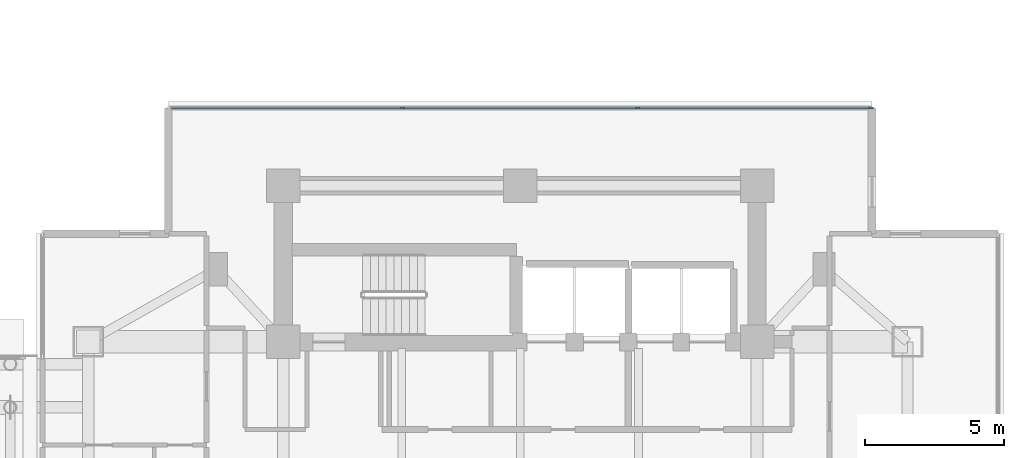
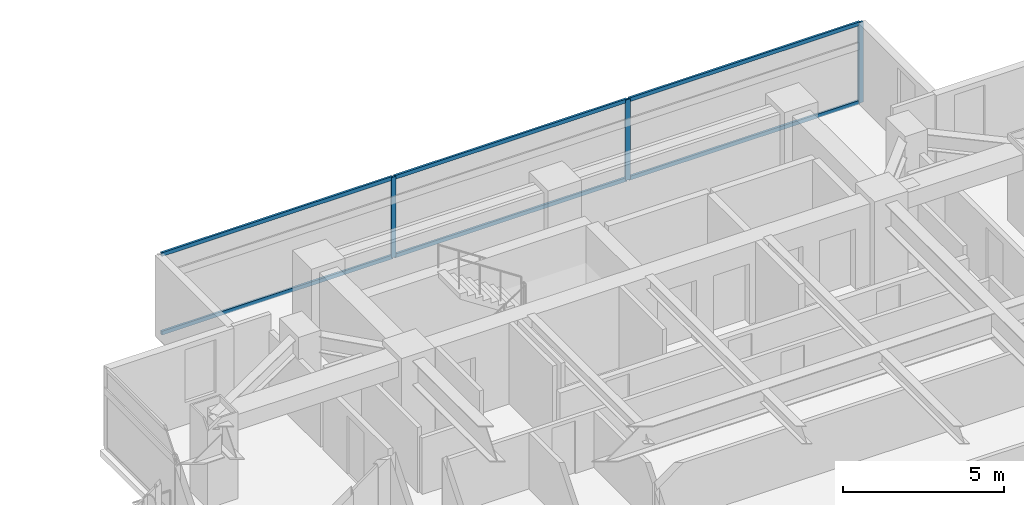
# One storey, part 11 of 29: 9 members, 1 element without a shape of its own.
"""IFC4 building model written with IfcOpenShell, lengths in metres."""

from ifc_helpers import new_model, si_unit, direction, frame, origin, origin_2d, place, context, subcontext, project, spatial, rectangle, extrude, material, material_profile, profile_set, type_object, element, aggregate, save


model = new_model("IFC4")

# Units and contexts
model_context = context("Model", 3, precision=1e-05, world=origin(), true_north=direction((0.0, 1.0)))
body_context = subcontext(model_context, "Body", "Model", "MODEL_VIEW")
ifc_project = project(units=[si_unit("LENGTHUNIT", "METRE"), si_unit("AREAUNIT", "SQUARE_METRE"), si_unit("VOLUMEUNIT", "CUBIC_METRE"), si_unit("PLANEANGLEUNIT", "RADIAN"), si_unit("MASSUNIT", "GRAM", prefix="KILO")], contexts=[model_context])

# Site, building, storey
site_placement = place(None, origin())
site = spatial("IfcSite", under=ifc_project, at=site_placement, CompositionType="ELEMENT")
building_placement = place(site_placement, origin())
building = spatial("IfcBuilding", under=site, at=building_placement, Name="Mirazonda Arch Towers", CompositionType="ELEMENT")
storey_placement = place(building_placement, frame((0.0, 0.0, 88.39990234375)))
storey = spatial("IfcBuildingStorey", under=building, at=storey_placement, Name="L24", CompositionType="ELEMENT", Elevation=88.39990234375)

# Curtain wall, members
ifc_material_1 = material(Name="Anodised Aluminium and Low-E Glass", Category="aluminium")
curtain_wall_type = type_object("IfcCurtainWallType", Name="CW-HTL-UNIT", PredefinedType="NOTDEFINED", material=ifc_material_1)
curtain_wall_placement = place(storey_placement, origin())
curtain_wall = element("IfcCurtainWall", 1, at=curtain_wall_placement, inside=storey, type_object=curtain_wall_type, Name="L24 T2 N Facade CW-L24-T2-N", PredefinedType="NOTDEFINED")
ifc_material_2 = material(Name="Anodised Aluminium Alloy", Category="aluminium")
ifc_material_profile_1 = material_profile(ifc_material_2, rectangle(XDim=0.074951171875, YDim=0.1650390625, at=origin_2d()), Name="ALU-MULL-75x165")
ifc_profile_set_1 = profile_set([ifc_material_profile_1], Name="Anodised Aluminium Alloy")
member_type_1 = type_object("IfcMemberType", Name="MULL-CW-HTL-UNIT", PredefinedType="MULLION", material=ifc_profile_set_1)
member_1_placement = place(storey_placement, frame((72.291259765625, 43.597412109375, 0.0), z_axis=(0.0, 0.0, 1.0), x_axis=(0.0, 1.0, 0.0)))
member_1 = element("IfcMember", 2, at=member_1_placement, type_object=member_type_1, Name="CW-112 mullion 2", PredefinedType="MULLION", context=body_context, shape_type="SweptSolid", body=[
    extrude(rectangle(XDim=0.074951171875, YDim=0.1650390625, at=origin_2d()), origin(), (0.0, 0.0, 1.0), 3.06005859375),
])
member_2_placement = place(storey_placement, frame((80.708740234375, 43.597412109375, 0.0), z_axis=(0.0, 0.0, 1.0), x_axis=(0.0, 1.0, 0.0)))
member_2 = element("IfcMember", 3, at=member_2_placement, type_object=member_type_1, Name="CW-112 mullion 3", PredefinedType="MULLION", context=body_context, shape_type="SweptSolid", body=[
    extrude(rectangle(XDim=0.074951171875, YDim=0.1650390625, at=origin_2d()), origin(), (0.0, 0.0, 1.0), 3.06005859375),
])
member_3_placement = place(storey_placement, frame((89.088623046875, 43.597412109375, 0.0), z_axis=(0.0, 0.0, 1.0), x_axis=(0.0, 1.0, 0.0)))
member_3 = element("IfcMember", 4, at=member_3_placement, type_object=member_type_1, Name="CW-112 mullion 4", PredefinedType="MULLION", context=body_context, shape_type="SweptSolid", body=[
    extrude(rectangle(XDim=0.074951171875, YDim=0.1650390625, at=origin_2d()), origin(), (0.0, 0.0, 1.0), 3.06005859375),
])
ifc_material_profile_2 = material_profile(ifc_material_2, rectangle(XDim=0.074951171875, YDim=0.14501953125, at=origin_2d()), Name="ALU-TRAN-75x145")
ifc_profile_set_2 = profile_set([ifc_material_profile_2], Name="Anodised Aluminium Alloy")
member_type_2 = type_object("IfcMemberType", Name="TRAN-CW-HTL-UNIT", PredefinedType="USERDEFINED", material=ifc_profile_set_2)
member_4_placement = place(storey_placement, frame((63.94873046875, 43.597412109375, 0.03759765625), z_axis=(1.0, 0.0, 0.0), x_axis=(0.0, 1.0, 0.0)))
member_4 = element("IfcMember", 5, at=member_4_placement, type_object=member_type_2, Name="CW-112 transom 1.1", ObjectType="TRANSOM", PredefinedType="USERDEFINED", context=body_context, shape_type="SweptSolid", body=[
    extrude(rectangle(XDim=0.074951171875, YDim=0.14501953125, at=origin_2d()), origin(), (0.0, 0.0, 1.0), 8.304931640625),
])
member_5_placement = place(storey_placement, frame((63.94873046875, 43.597412109375, 3.022705078125), z_axis=(1.0, 0.0, 0.0), x_axis=(0.0, 1.0, 0.0)))
member_5 = element("IfcMember", 6, at=member_5_placement, type_object=member_type_2, Name="CW-112 transom 1.2", ObjectType="TRANSOM", PredefinedType="USERDEFINED", context=body_context, shape_type="SweptSolid", body=[
    extrude(rectangle(XDim=0.074951171875, YDim=0.14501953125, at=origin_2d()), origin(), (0.0, 0.0, 1.0), 8.304931640625),
])
member_6_placement = place(storey_placement, frame((72.328857421875, 43.597412109375, 0.03759765625), z_axis=(1.0, 0.0, 0.0), x_axis=(0.0, 1.0, 0.0)))
member_6 = element("IfcMember", 7, at=member_6_placement, type_object=member_type_2, Name="CW-112 transom 2.1", ObjectType="TRANSOM", PredefinedType="USERDEFINED", context=body_context, shape_type="SweptSolid", body=[
    extrude(rectangle(XDim=0.074951171875, YDim=0.14501953125, at=origin_2d()), origin(), (0.0, 0.0, 1.0), 8.34228515625),
])
member_7_placement = place(storey_placement, frame((72.328857421875, 43.597412109375, 3.022705078125), z_axis=(1.0, 0.0, 0.0), x_axis=(0.0, 1.0, 0.0)))
member_7 = element("IfcMember", 8, at=member_7_placement, type_object=member_type_2, Name="CW-112 transom 2.2", ObjectType="TRANSOM", PredefinedType="USERDEFINED", context=body_context, shape_type="SweptSolid", body=[
    extrude(rectangle(XDim=0.074951171875, YDim=0.14501953125, at=origin_2d()), origin(), (0.0, 0.0, 1.0), 8.34228515625),
])
member_8_placement = place(storey_placement, frame((80.746337890625, 43.597412109375, 0.03759765625), z_axis=(1.0, 0.0, 0.0), x_axis=(0.0, 1.0, 0.0)))
member_8 = element("IfcMember", 9, at=member_8_placement, type_object=member_type_2, Name="CW-112 transom 3.1", ObjectType="TRANSOM", PredefinedType="USERDEFINED", context=body_context, shape_type="SweptSolid", body=[
    extrude(rectangle(XDim=0.074951171875, YDim=0.14501953125, at=origin_2d()), origin(), (0.0, 0.0, 1.0), 8.304931640625),
])
member_9_placement = place(storey_placement, frame((80.746337890625, 43.597412109375, 3.022705078125), z_axis=(1.0, 0.0, 0.0), x_axis=(0.0, 1.0, 0.0)))
member_9 = element("IfcMember", 10, at=member_9_placement, type_object=member_type_2, Name="CW-112 transom 3.2", ObjectType="TRANSOM", PredefinedType="USERDEFINED", context=body_context, shape_type="SweptSolid", body=[
    extrude(rectangle(XDim=0.074951171875, YDim=0.14501953125, at=origin_2d()), origin(), (0.0, 0.0, 1.0), 8.304931640625),
])
aggregate(curtain_wall, [member_1, member_2, member_3, member_4, member_5, member_6, member_7, member_8, member_9])

save(model, "model.ifc")
